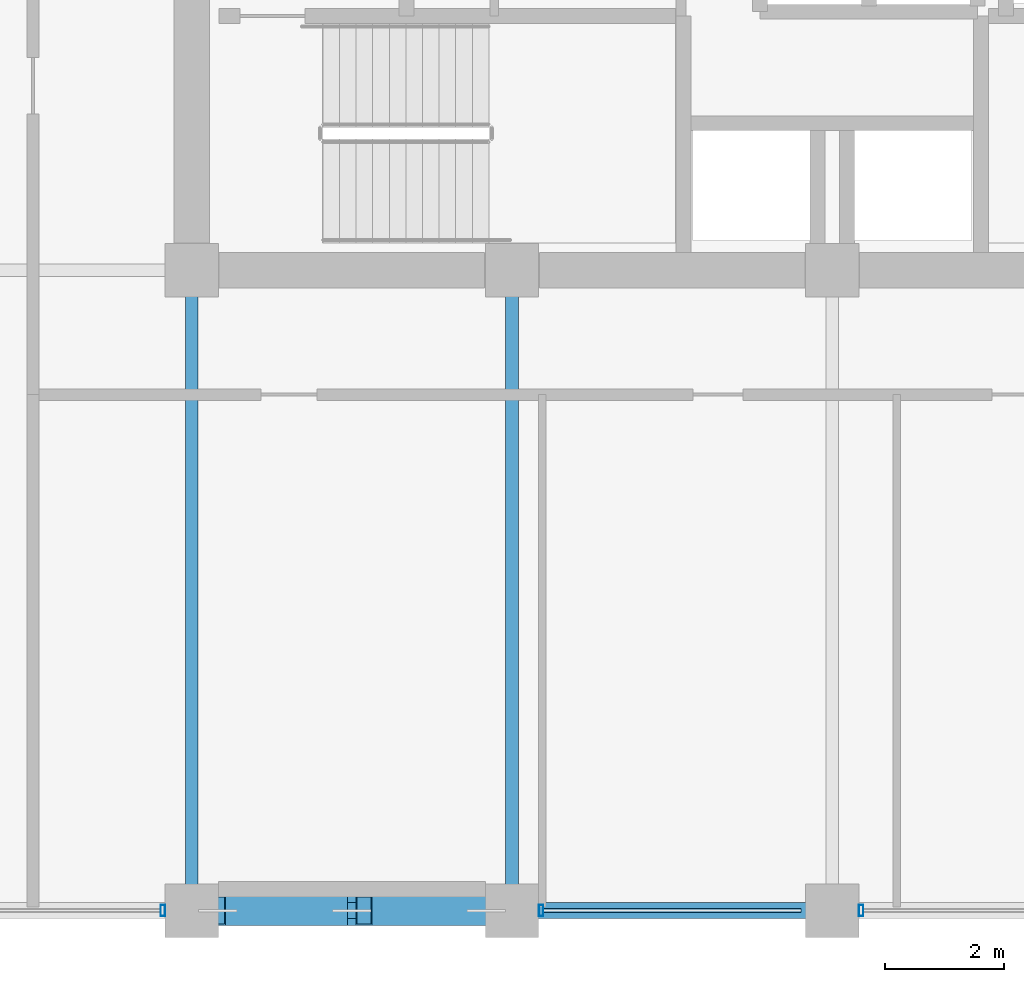
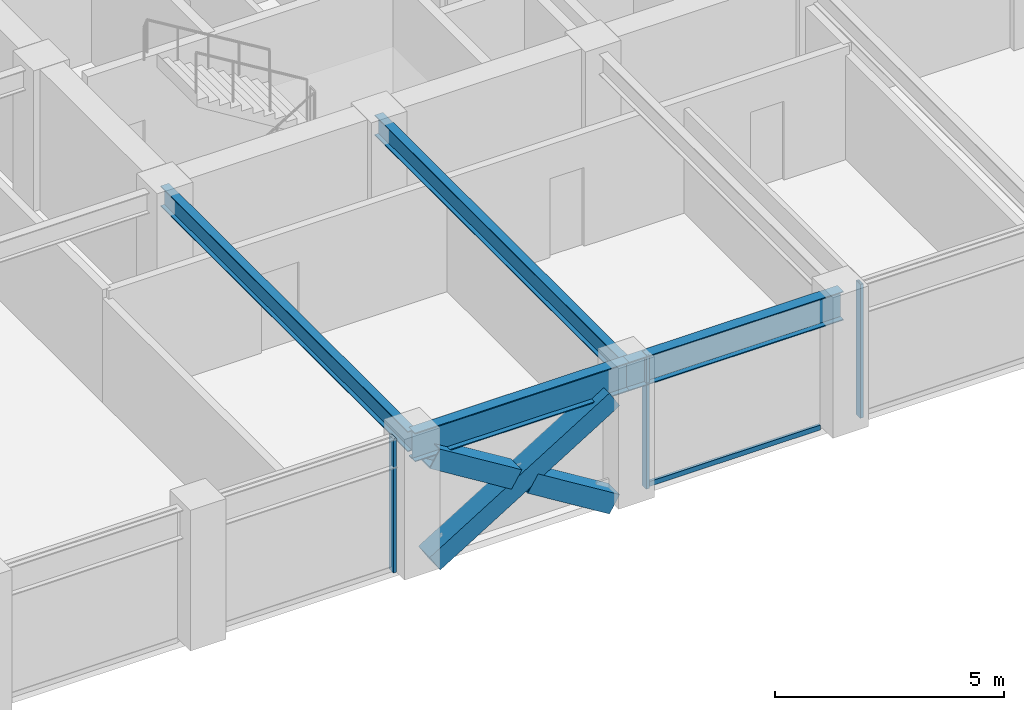
# One storey, part 6 of 32: 7 members, 4 beams, 2 elements without a shape of their own.
"""IFC4 building model written with IfcOpenShell, lengths in metres."""

from ifc_helpers import new_model, si_unit, direction, frame, origin, origin_2d, place, context, subcontext, project, spatial, hollow_rectangle, i_section, extrude, material, layer, layer_set, material_profile, profile_set, type_object, element, aggregate, save


model = new_model("IFC4")

# Units and contexts
model_context = context("Model", 3, precision=1e-05, world=origin(), true_north=direction((0.0, 1.0)))
body_context = subcontext(model_context, "Body", "Model", "MODEL_VIEW")
ifc_project = project(units=[si_unit("LENGTHUNIT", "METRE"), si_unit("AREAUNIT", "SQUARE_METRE"), si_unit("VOLUMEUNIT", "CUBIC_METRE"), si_unit("PLANEANGLEUNIT", "RADIAN"), si_unit("MASSUNIT", "GRAM", prefix="KILO")], contexts=[model_context])

# Site, building, storey
site_placement = place(None, origin())
site = spatial("IfcSite", under=ifc_project, at=site_placement, CompositionType="ELEMENT")
building_placement = place(site_placement, origin())
building = spatial("IfcBuilding", under=site, at=building_placement, Name="Surkhivell Harbour Commons", CompositionType="ELEMENT")
storey_placement = place(building_placement, frame((0.0, 0.0, 189.75)))
storey = spatial("IfcBuildingStorey", under=building, at=storey_placement, Name="L49", CompositionType="ELEMENT", Elevation=189.75)

# Beams
ifc_material_1 = material(Name="Steel S355", Category="steel")
ifc_material_profile_1 = material_profile(ifc_material_1, i_section(OverallWidth=0.2119140625, OverallDepth=0.5439453125, WebThickness=0.0126953125, FlangeThickness=0.021240234375, at=origin_2d()), Name="UB533x210x122")
ifc_profile_set_1 = profile_set([ifc_material_profile_1], Name="Steel S355")
beam_type_1 = type_object("IfcBeamType", Name="BM-GRD-533A", PredefinedType="BEAM", material=ifc_profile_set_1)
for number, where, z_axis, x_axis, name in (
    (1, (-10.800048828125, -21.60009765625, 3.298095703125), (0.0, 1.0, 0.0), (-1.0, 0.0, 0.0), "L49 Floor Girder (-10.8,-21.6)"),
    (2, (-5.39990234375, -21.60009765625, 3.298095703125), (0.0, 1.0, 0.0), (-1.0, 0.0, 0.0), "L49 Floor Girder (-5.4,-21.6)"),
):
    element("IfcBeam", number, at=place(storey_placement, frame(where, z_axis=z_axis, x_axis=x_axis)), inside=storey, type_object=beam_type_1, Name=name, PredefinedType="BEAM", context=body_context, shape_type="SweptSolid", body=[
        extrude(i_section(OverallWidth=0.2119140625, OverallDepth=0.5439453125, WebThickness=0.0126953125, FlangeThickness=0.021240234375, at=origin_2d()), origin(), (0.0, 0.0, 1.0), 10.800048828125),
    ])
ifc_material_profile_2 = material_profile(ifc_material_1, i_section(OverallWidth=0.26806640625, OverallDepth=0.77001953125, WebThickness=0.015625, FlangeThickness=0.025390625, at=origin_2d()), Name="UB762x267x197")
ifc_profile_set_2 = profile_set([ifc_material_profile_2], Name="Steel S355")
beam_type_2 = type_object("IfcBeamType", Name="BM-SPN-762", PredefinedType="SPANDREL", material=ifc_profile_set_2)
beam_1_placement = place(storey_placement, frame((-10.800048828125, -21.60009765625, 3.18505859375), z_axis=(1.0, 0.0, 0.0), x_axis=(0.0, 1.0, 0.0)))
element("IfcBeam", 3, at=beam_1_placement, inside=storey, type_object=beam_type_2, Name="L49 Tube Spandrel (-10.8,-21.6)", PredefinedType="SPANDREL", context=body_context, shape_type="SweptSolid", body=[
    extrude(i_section(OverallWidth=0.26806640625, OverallDepth=0.77001953125, WebThickness=0.015625, FlangeThickness=0.025390625, at=origin_2d()), origin(), (0.0, 0.0, 1.0), 5.400146484375),
])
beam_2_placement = place(storey_placement, frame((-5.39990234375, -21.60009765625, 3.18505859375), z_axis=(1.0, 0.0, 0.0), x_axis=(0.0, 1.0, 0.0)))
element("IfcBeam", 4, at=beam_2_placement, inside=storey, type_object=beam_type_2, Name="L49 Tube Spandrel (-5.4,-21.6)", PredefinedType="SPANDREL", context=body_context, shape_type="SweptSolid", body=[
    extrude(i_section(OverallWidth=0.26806640625, OverallDepth=0.77001953125, WebThickness=0.015625, FlangeThickness=0.025390625, at=origin_2d()), origin(), (0.0, 0.0, 1.0), 5.39990234375),
])

# Curtain wall, member
ifc_material_2 = material(Name="Anodised pale-metal aluminium and insulated glazing", Category="aluminium")
ifc_layer = layer(ifc_material_2, 0.18994140625)
ifc_layer_set = layer_set([ifc_layer], Name="Anodised pale-metal aluminium and insulated glazing")
curtain_wall_type = type_object("IfcCurtainWallType", Name="CW-SYS-Z3", PredefinedType="NOTDEFINED", material=ifc_layer_set)
curtain_wall_1_placement = place(storey_placement, origin())
curtain_wall_1 = element("IfcCurtainWall", 5, at=curtain_wall_1_placement, inside=storey, type_object=curtain_wall_type, Name="L49 Curtain Wall CW-L49-E00S1", PredefinedType="NOTDEFINED")
ifc_material_3 = material(Name="Anodised pale-metal aluminium alloy 6063-T6", Category="aluminium")
ifc_material_profile_3 = material_profile(ifc_material_3, hollow_rectangle(XDim=0.074951171875, YDim=0.18994140625, WallThickness=0.00390625, at=origin_2d()), Name="ALU-MULL-75x190")
ifc_profile_set_3 = profile_set([ifc_material_profile_3], Name="Anodised pale-metal aluminium alloy 6063-T6")
member_type_1 = type_object("IfcMemberType", Name="CWM-190", PredefinedType="MULLION", material=ifc_profile_set_3)
member_1_placement = place(storey_placement, frame((-11.28955078125, -21.60009765625, 0.0), z_axis=(0.0, 0.0, 1.0), x_axis=(1.0, 0.0, 0.0)))
member_1 = element("IfcMember", 6, at=member_1_placement, type_object=member_type_1, Name="CW-Z3 mullion 3", PredefinedType="MULLION", context=body_context, shape_type="SweptSolid", body=[
    extrude(hollow_rectangle(XDim=0.074951171875, YDim=0.18994140625, WallThickness=0.00390625, at=origin_2d()), origin(), (0.0, 0.0, 1.0), 3.570068359375),
])
aggregate(curtain_wall_1, [member_1])

# Curtain wall, members
curtain_wall_2_placement = place(storey_placement, origin())
curtain_wall_2 = element("IfcCurtainWall", 7, at=curtain_wall_2_placement, inside=storey, type_object=curtain_wall_type, Name="L49 Curtain Wall CW-L49-E00S2", PredefinedType="NOTDEFINED")
member_2_placement = place(storey_placement, frame((-4.910400390625, -21.60009765625, 0.0), z_axis=(0.0, 0.0, 1.0), x_axis=(1.0, 0.0, 0.0)))
member_2 = element("IfcMember", 8, at=member_2_placement, type_object=member_type_1, Name="CW-Z3 mullion 1", PredefinedType="MULLION", context=body_context, shape_type="SweptSolid", body=[
    extrude(hollow_rectangle(XDim=0.074951171875, YDim=0.18994140625, WallThickness=0.00390625, at=origin_2d()), origin(), (0.0, 0.0, 1.0), 3.570068359375),
])
member_3_placement = place(storey_placement, frame((0.489501953125, -21.60009765625, 0.0), z_axis=(0.0, 0.0, 1.0), x_axis=(1.0, 0.0, 0.0)))
member_3 = element("IfcMember", 9, at=member_3_placement, type_object=member_type_1, Name="CW-Z3 mullion 2", PredefinedType="MULLION", context=body_context, shape_type="SweptSolid", body=[
    extrude(hollow_rectangle(XDim=0.074951171875, YDim=0.18994140625, WallThickness=0.00390625, at=origin_2d()), origin(), (0.0, 0.0, 1.0), 3.570068359375),
])
ifc_material_4 = material(Name="Champagne anodised aluminium alloy 6063-T6", Category="aluminium")
ifc_material_profile_4 = material_profile(ifc_material_4, hollow_rectangle(XDim=0.070068359375, YDim=0.1298828125, WallThickness=0.00341796875, at=origin_2d()), Name="ALU-TRAN-70x130")
ifc_profile_set_4 = profile_set([ifc_material_profile_4], Name="Champagne anodised aluminium alloy 6063-T6")
member_type_2 = type_object("IfcMemberType", Name="CWT-130", PredefinedType="USERDEFINED", material=ifc_profile_set_4)
member_4_placement = place(storey_placement, frame((-4.873046875, -21.60009765625, 0.06494140625), z_axis=(1.0, 0.0, 0.0), x_axis=(0.0, 1.0, 0.0)))
member_4 = element("IfcMember", 10, at=member_4_placement, type_object=member_type_2, Name="CW-Z3 transom 1.1", ObjectType="TRANSOM", PredefinedType="USERDEFINED", context=body_context, shape_type="SweptSolid", body=[
    extrude(hollow_rectangle(XDim=0.070068359375, YDim=0.1298828125, WallThickness=0.00341796875, at=origin_2d()), origin(), (0.0, 0.0, 1.0), 4.345947265625),
])
aggregate(curtain_wall_2, [member_2, member_4, member_3])

# Members
ifc_material_5 = material(Name="Steel S460", Category="steel")
ifc_material_profile_5 = material_profile(ifc_material_5, hollow_rectangle(XDim=0.5, YDim=0.5, WallThickness=0.02490234375, at=origin_2d()), Name="SHS500x500x25")
ifc_profile_set_5 = profile_set([ifc_material_profile_5], Name="Steel S460")
member_type_3 = type_object("IfcMemberType", Name="MEM-BRC-SHS500", PredefinedType="BRACE", material=ifc_profile_set_5)
member_5_placement = place(storey_placement, frame((-10.364990234375, -21.60009765625, 0.008056640625), z_axis=(0.850971032488, 0.0, 0.525212625387), x_axis=(0.0, 1.0, 0.0)))
element("IfcMember", 11, at=member_5_placement, inside=storey, type_object=member_type_3, Name="L49 Perimeter Mega-Brace MB- 07", PredefinedType="BRACE", context=body_context, shape_type="SweptSolid", body=[
    extrude(hollow_rectangle(XDim=0.5, YDim=0.5, WallThickness=0.02490234375, at=origin_2d()), origin(), (0.0, 0.0, 1.0), 5.323486328125),
])
for number, where, z_axis, x_axis, name in (
    (12, (-5.8349609375, -21.60009765625, 0.008056640625), (-0.8510034189, 0.0, 0.525160147974), (0.0, -1.0, 0.0), "L49 Perimeter Mega-Brace MB- 08"),
    (13, (-8.30419921875, -21.60009765625, 1.531982421875), (-0.850958361341, 0.0, 0.525233155146), (0.0, -1.0, 0.0), "L49 Perimeter Mega-Brace MB- 09"),
):
    element("IfcMember", number, at=place(storey_placement, frame(where, z_axis=z_axis, x_axis=x_axis)), inside=storey, type_object=member_type_3, Name=name, PredefinedType="BRACE", context=body_context, shape_type="SweptSolid", body=[
        extrude(hollow_rectangle(XDim=0.5, YDim=0.5, WallThickness=0.02490234375, at=origin_2d()), origin(), (0.0, 0.0, 1.0), 2.421630859375),
    ])

save(model, "model.ifc")
